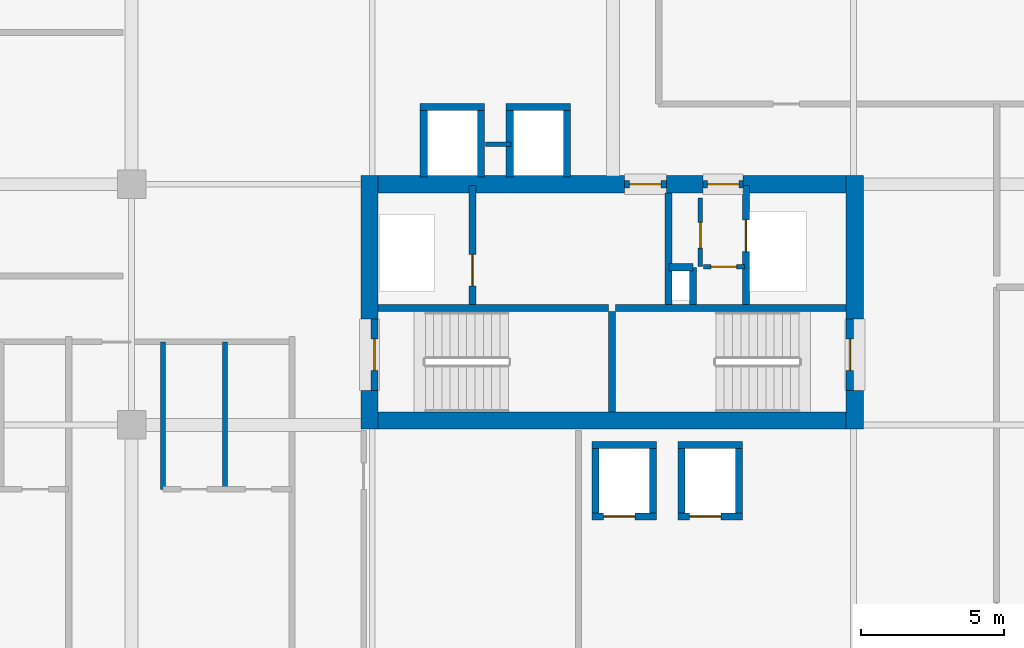
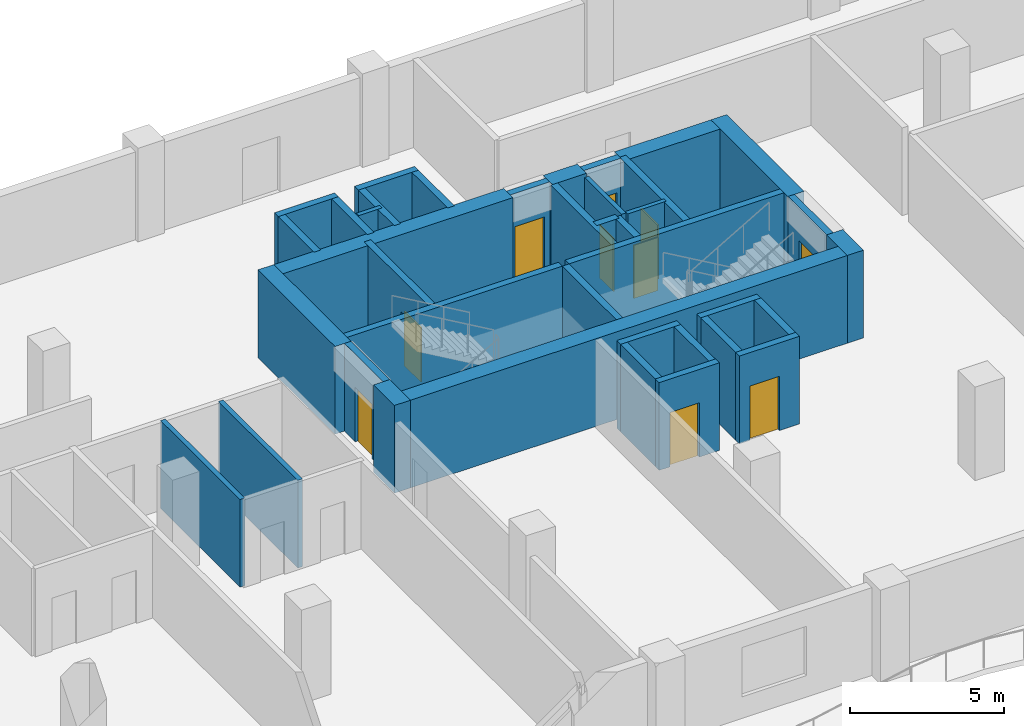
# One storey, part 5 of 14: 39 walls, 10 doors, 10 openings.
"""IFC4 building model written with IfcOpenShell, lengths in metres."""

import ifcopenshell
import ifcopenshell.guid

model = None  # the IFC model being written
_history = None  # IfcOwnerHistory: only IFC2X3 demands one
_inside = {}  # id of a spatial element -> (the spatial element, [elements in it])
_under = {}  # id of a project, library or spatial element -> (it, [spatial elements below it])
_declared = {}  # id of a project -> (the project, [libraries it declares])
_typed = {}  # id of a type object -> (the type object, [elements of that type])
_made_of = {}  # id of a material, layer set ... -> (it, [elements and type objects made of it])


def new_model(schema):
    """Start an empty IFC model of exactly this schema.

    Asked for "IFC4X3", IfcOpenShell would pick the latest addendum, in which some entities
    have other attributes; the version numbers below select the first issue.
    IFC2X3 requires an IfcOwnerHistory on every rooted entity: one is made here for all.
    """
    global model, _history
    if schema == "IFC4X3":
        model = ifcopenshell.file(schema_version=(4, 3, 0, 0))
    else:
        model = ifcopenshell.file(schema=schema)
    _inside.clear()
    _under.clear()
    _declared.clear()
    _typed.clear()
    _made_of.clear()
    _history = None
    if model.schema == "IFC2X3":
        org = make("IfcOrganization", Name="unknown")
        user = make(
            "IfcPersonAndOrganization",
            ThePerson=make("IfcPerson", FamilyName="unknown"),
            TheOrganization=org,
        )
        app = make(
            "IfcApplication",
            ApplicationDeveloper=org,
            Version="unknown",
            ApplicationFullName="unknown",
            ApplicationIdentifier="unknown",
        )
        _history = make(
            "IfcOwnerHistory",
            OwningUser=user,
            OwningApplication=app,
            ChangeAction="ADDED",
            CreationDate=0,
        )
    return model


def make(cls, **values):
    """One entity of the class cls with the attributes given. An attribute that is None is left unset."""
    return model.create_entity(
        cls, **{name: value for name, value in values.items() if value is not None}
    )


def rooted(cls, **values):
    """An entity with a GlobalId (a new one), such as an element, a storey or a relation."""
    return make(cls, GlobalId=ifcopenshell.guid.new(), OwnerHistory=_history, **values)


def si_unit(unit_type, name, prefix=None):
    """IfcSIUnit, for example si_unit("LENGTHUNIT", "METRE", prefix="MILLI")."""
    return make("IfcSIUnit", UnitType=unit_type, Prefix=prefix, Name=name)


def assignment(units):
    """IfcUnitAssignment: the units of a project."""
    return None if units is None else make("IfcUnitAssignment", Units=units)


def point(xyz):
    """IfcCartesianPoint."""
    return None if xyz is None else make("IfcCartesianPoint", Coordinates=xyz)


def direction(xyz):
    """IfcDirection."""
    return None if xyz is None else make("IfcDirection", DirectionRatios=xyz)


def frame(location, z_axis=None, x_axis=None):
    """IfcAxis2Placement3D, a coordinate frame: its origin and axes. An axis left out is left unset."""
    return make(
        "IfcAxis2Placement3D",
        Location=point(location),
        Axis=direction(z_axis),
        RefDirection=direction(x_axis),
    )


def frame_2d(location, x_axis=None):
    """IfcAxis2Placement2D, a coordinate frame in the plane: its origin and x axis."""
    return make(
        "IfcAxis2Placement2D", Location=point(location), RefDirection=direction(x_axis)
    )


def origin():
    """The frame at (0, 0, 0) with its axes left unset."""
    return frame((0.0, 0.0, 0.0))


def place(relative_to, where):
    """IfcLocalPlacement: puts the frame where relative to a parent placement (None: the world)."""
    return make(
        "IfcLocalPlacement", PlacementRelTo=relative_to, RelativePlacement=where
    )


def context(
    kind, dimensions, precision=None, world=None, true_north=None, identifier=None
):
    """IfcGeometricRepresentationContext, for example the 3D "Model" context."""
    return make(
        "IfcGeometricRepresentationContext",
        ContextIdentifier=identifier,
        ContextType=kind,
        CoordinateSpaceDimension=dimensions,
        Precision=precision,
        WorldCoordinateSystem=world,
        TrueNorth=true_north,
    )


def subcontext(parent, identifier, kind, view, scale=None):
    """IfcGeometricRepresentationSubContext, for example "Body" below "Model"."""
    return make(
        "IfcGeometricRepresentationSubContext",
        ContextIdentifier=identifier,
        ContextType=kind,
        ParentContext=parent,
        TargetScale=scale,
        TargetView=view,
    )


def project(units=None, contexts=None):
    """IfcProject with its units and contexts."""
    return rooted(
        "IfcProject",
        Name="project",
        RepresentationContexts=contexts,
        UnitsInContext=assignment(units),
    )


def spatial(cls, under=None, at=None, **own):
    """A site, building, storey or space (cls), placed at a placement, below another one or the project."""
    s = rooted(cls, ObjectPlacement=at, **own)
    if under is not None:
        _under.setdefault(under.id(), (under, []))[1].append(s)
    return s


def profile(cls, at=None, kind="AREA", **sizes):
    """A parametric profile (cls). Its sizes go by their IFC names, for example OverallWidth=200.0."""
    return make(cls, ProfileType=kind, Position=at, **sizes)


def rectangle(**sizes):
    """IfcRectangleProfileDef."""
    return profile("IfcRectangleProfileDef", **sizes)


def extrude(swept, where, along, depth):
    """IfcExtrudedAreaSolid: the profile swept, set in the frame where, extruded along a direction by depth."""
    return make(
        "IfcExtrudedAreaSolid",
        SweptArea=swept,
        Position=where,
        ExtrudedDirection=direction(along),
        Depth=depth,
    )


def shape(context_of_items, identifier, shape_type, items):
    """IfcShapeRepresentation: the items that make up one representation, for example the "Body"."""
    return make(
        "IfcShapeRepresentation",
        ContextOfItems=context_of_items,
        RepresentationIdentifier=identifier,
        RepresentationType=shape_type,
        Items=items,
    )


def material(Name=None, Category=None):
    """IfcMaterial."""
    return make("IfcMaterial", Name=Name, Category=Category)


def layer(
    of_material, thickness, ventilated=None, Name=None, Category=None, Priority=None
):
    """IfcMaterialLayer: one layer of a wall or slab, of a material (None: an air gap)."""
    return make(
        "IfcMaterialLayer",
        Material=of_material,
        LayerThickness=thickness,
        IsVentilated=ventilated,
        Name=Name,
        Category=Category,
        Priority=Priority,
    )


def layer_set(layers, Name=None):
    """IfcMaterialLayerSet."""
    return make("IfcMaterialLayerSet", MaterialLayers=layers, LayerSetName=Name)


def made_of(thing, what):
    """Note that an element or type object is made of a material, layer set ...; save() writes the relation."""
    if what is not None:
        _made_of.setdefault(what.id(), (what, []))[1].append(thing)
    return thing


def type_object(cls, material=None, **own):
    """A type object (cls), such as IfcWallType, which elements share."""
    return made_of(rooted(cls, **own), material)


def element(
    cls,
    number,
    at=None,
    inside=None,
    cuts=None,
    type_object=None,
    material=None,
    context=None,
    identifier="Body",
    shape_type=None,
    held_by="IfcProductDefinitionShape",
    body=None,
    shapes=None,
    **own,
):
    """One element of the class cls, such as IfcWall. Its Tag is "e" and its number.

    at: its placement. inside: the storey or other place that contains it. cuts: it is an
    opening in that element (IfcRelVoidsElement). A single representation is given by context,
    identifier, shape_type and body (its items); several are given by shapes. held_by: the class
    of the entity that holds the representations. save() writes the other relations.
    """
    e = rooted(cls, Tag="e%d" % number, ObjectPlacement=at, **own)
    if body is not None:
        shapes = [shape(context, identifier, shape_type, body)]
    if shapes is not None:
        e.Representation = make(held_by, Representations=shapes)
    if inside is not None:
        _inside.setdefault(inside.id(), (inside, []))[1].append(e)
    if cuts is not None:
        rooted(
            "IfcRelVoidsElement", RelatingBuildingElement=cuts, RelatedOpeningElement=e
        )
    if type_object is not None:
        _typed.setdefault(type_object.id(), (type_object, []))[1].append(e)
    return made_of(e, material)


def fill(opening, filler):
    """IfcRelFillsElement: the door or window that sits in an opening."""
    return rooted(
        "IfcRelFillsElement",
        RelatingOpeningElement=opening,
        RelatedBuildingElement=filler,
    )


def aggregate(whole, parts):
    """IfcRelAggregates: a whole, such as a stair, and the parts it consists of."""
    return rooted("IfcRelAggregates", RelatingObject=whole, RelatedObjects=parts)


def save(model, path):
    """Write the relations noted so far, then the file.

    IfcRelAggregates (storeys below a building ...), IfcRelContainedInSpatialStructure (elements
    in a storey), IfcRelDefinesByType, IfcRelAssociatesMaterial and IfcRelDeclares: one each for
    every whole, place, type object, material and project.
    """
    for whole, parts in _under.values():
        aggregate(whole, parts)
    for where, things in _inside.values():
        rooted(
            "IfcRelContainedInSpatialStructure",
            RelatedElements=things,
            RelatingStructure=where,
        )
    for kind, things in _typed.values():
        rooted("IfcRelDefinesByType", RelatedObjects=things, RelatingType=kind)
    for what, things in _made_of.values():
        rooted("IfcRelAssociatesMaterial", RelatedObjects=things, RelatingMaterial=what)
    for by, libraries in _declared.values():
        rooted("IfcRelDeclares", RelatingContext=by, RelatedDefinitions=libraries)
    model.write(path)


model = new_model("IFC4")

# Units and contexts
model_context = context("Model", 3, precision=1e-05, world=origin(), true_north=direction((0.0, 1.0)))
body_context = subcontext(model_context, "Body", "Model", "MODEL_VIEW")
ifc_project = project(units=[si_unit("LENGTHUNIT", "METRE"), si_unit("AREAUNIT", "SQUARE_METRE"), si_unit("VOLUMEUNIT", "CUBIC_METRE"), si_unit("PLANEANGLEUNIT", "RADIAN"), si_unit("MASSUNIT", "GRAM", prefix="KILO")], contexts=[model_context])

# Site, building, storey
site_placement = place(None, origin())
site = spatial("IfcSite", under=ifc_project, at=site_placement, CompositionType="ELEMENT")
building_placement = place(site_placement, origin())
building = spatial("IfcBuilding", under=site, at=building_placement, Name="Koriwani Terraces Tower", CompositionType="ELEMENT")
storey_placement = place(building_placement, frame((0.0, 0.0, 201.300048828125)))
storey = spatial("IfcBuildingStorey", under=building, at=storey_placement, Name="L49", CompositionType="ELEMENT", Elevation=201.300048828125)

# Walls
ifc_material_1 = material(Name="Concrete C60/75", Category="concrete")
ifc_layer_1 = layer(ifc_material_1, 0.60009765625, Name="Concrete C60/75")
ifc_layer_set_1 = layer_set([ifc_layer_1], Name="Concrete C60/75")
wall_type_1 = type_object("IfcWallType", Name="WALL_CORE_RC_600", PredefinedType="SHEAR", material=ifc_layer_set_1)
wall_1_placement = place(storey_placement, frame((41.89990234375, 16.64990234375, 0.0), z_axis=(0.0, 0.0, 1.0), x_axis=(0.0, 1.0, 0.0)))
element("IfcWall", 1, at=wall_1_placement, inside=storey, type_object=wall_type_1, Name="L49 East Split Core Shear Wall W1", PredefinedType="SHEAR", context=body_context, shape_type="SweptSolid", body=[
    extrude(rectangle(XDim=1.35009765625, YDim=0.60009765625, at=frame_2d((0.675048828125, 0.0))), origin(), (0.0, 0.0, 1.0), 3.469970703125),
])
wall_2_placement = place(storey_placement, frame((41.89990234375, 20.5, 0.0), z_axis=(0.0, 0.0, 1.0), x_axis=(0.0, 1.0, 0.0)))
element("IfcWall", 2, at=wall_2_placement, inside=storey, type_object=wall_type_1, Name="L49 East Split Core Shear Wall W2", PredefinedType="SHEAR", context=body_context, shape_type="SweptSolid", body=[
    extrude(rectangle(XDim=5.0, YDim=0.60009765625, at=frame_2d((2.5, 0.0))), origin(), (0.0, 0.0, 1.0), 3.469970703125),
])
wall_3_placement = place(storey_placement, frame((58.85009765625, 16.64990234375, 0.0), z_axis=(0.0, 0.0, 1.0), x_axis=(0.0, 1.0, 0.0)))
element("IfcWall", 3, at=wall_3_placement, inside=storey, type_object=wall_type_1, Name="L49 East Split Core Shear Wall E1", PredefinedType="SHEAR", context=body_context, shape_type="SweptSolid", body=[
    extrude(rectangle(XDim=1.35009765625, YDim=0.60009765625, at=frame_2d((0.675048828125, 0.0))), origin(), (0.0, 0.0, 1.0), 3.469970703125),
])
wall_4_placement = place(storey_placement, frame((58.85009765625, 20.5, 0.0), z_axis=(0.0, 0.0, 1.0), x_axis=(0.0, 1.0, 0.0)))
element("IfcWall", 4, at=wall_4_placement, inside=storey, type_object=wall_type_1, Name="L49 East Split Core Shear Wall E2", PredefinedType="SHEAR", context=body_context, shape_type="SweptSolid", body=[
    extrude(rectangle(XDim=5.0, YDim=0.60009765625, at=frame_2d((2.5, 0.0))), origin(), (0.0, 0.0, 1.0), 3.469970703125),
])
wall_5_placement = place(storey_placement, frame((42.199951171875, 16.949951171875, 0.0), z_axis=(0.0, 0.0, 1.0), x_axis=(1.0, 0.0, 0.0)))
element("IfcWall", 5, at=wall_5_placement, inside=storey, type_object=wall_type_1, Name="L49 East Split Core Shear Wall S1", PredefinedType="SHEAR", context=body_context, shape_type="SweptSolid", body=[
    extrude(rectangle(XDim=16.35009765625, YDim=0.60009765625, at=frame_2d((8.175048828125, 0.0))), origin(), (0.0, 0.0, 1.0), 3.469970703125),
])
wall_6_placement = place(storey_placement, frame((42.199951171875, 25.199951171875, 0.0), z_axis=(0.0, 0.0, 1.0), x_axis=(1.0, 0.0, 0.0)))
element("IfcWall", 6, at=wall_6_placement, inside=storey, type_object=wall_type_1, Name="L49 East Split Core Shear Wall N1", PredefinedType="SHEAR", context=body_context, shape_type="SweptSolid", body=[
    extrude(rectangle(XDim=8.60009765625, YDim=0.60009765625, at=frame_2d((4.300048828125, 0.0))), origin(), (0.0, 0.0, 1.0), 3.469970703125),
])
wall_7_placement = place(storey_placement, frame((52.280029296875, 25.199951171875, 0.0), z_axis=(0.0, 0.0, 1.0), x_axis=(1.0, 0.0, 0.0)))
element("IfcWall", 7, at=wall_7_placement, inside=storey, type_object=wall_type_1, Name="L49 East Split Core Shear Wall N2", PredefinedType="SHEAR", context=body_context, shape_type="SweptSolid", body=[
    extrude(rectangle(XDim=1.27001953125, YDim=0.60009765625, at=frame_2d((0.635009765625, 0.0))), origin(), (0.0, 0.0, 1.0), 3.469970703125),
])
wall_8_placement = place(storey_placement, frame((54.949951171875, 25.199951171875, 0.0), z_axis=(0.0, 0.0, 1.0), x_axis=(1.0, 0.0, 0.0)))
element("IfcWall", 8, at=wall_8_placement, inside=storey, type_object=wall_type_1, Name="L49 East Split Core Shear Wall N3", PredefinedType="SHEAR", context=body_context, shape_type="SweptSolid", body=[
    extrude(rectangle(XDim=3.60009765625, YDim=0.60009765625, at=frame_2d((1.800048828125, 0.0))), origin(), (0.0, 0.0, 1.0), 3.469970703125),
])
ifc_material_2 = material(Name="Fire-Rated Acoustic Gypsum Partition", Category="masonry")
ifc_layer_2 = layer(ifc_material_2, 0.179931640625, Name="Fire-Rated Acoustic Gypsum Partition")
ifc_layer_set_2 = layer_set([ifc_layer_2], Name="Fire-Rated Acoustic Gypsum Partition")
wall_type_2 = type_object("IfcWallType", Name="WALL_PLUMBING_180", PredefinedType="PLUMBINGWALL", material=ifc_layer_set_2)
for number, where, z_axis, x_axis, name in (
    (9, (34.699951171875, 14.550048828125, 0.0), (0.0, 0.0, 1.0), (0.0, 1.0, 0.0), "L49 Interior Wall WRSVCS-L49-SW-3"),
    (10, (36.860107421875, 14.550048828125, 0.0), (0.0, 0.0, 1.0), (0.0, 1.0, 0.0), "L49 Interior Wall WRSVCM-L49-SW-3"),
):
    element("IfcWall", number, at=place(storey_placement, frame(where, z_axis=z_axis, x_axis=x_axis)), inside=storey, type_object=wall_type_2, Name=name, PredefinedType="PLUMBINGWALL", context=body_context, shape_type="SweptSolid", body=[
        extrude(rectangle(XDim=5.14990234375, YDim=0.179931640625, at=frame_2d((2.574951171875, 0.0))), origin(), (0.0, 0.0, 1.0), 3.469970703125),
    ])
ifc_material_3 = material(Name="Concrete C40/50", Category="concrete")
ifc_layer_3 = layer(ifc_material_3, 0.25, Name="Concrete C40/50")
ifc_layer_set_3 = layer_set([ifc_layer_3], Name="Concrete C40/50")
wall_type_3 = type_object("IfcWallType", Name="WALL_SHAFT_RATED_250", PredefinedType="SOLIDWALL", material=ifc_layer_set_3)
for number, where, z_axis, x_axis, name in (
    (11, (42.199951171875, 20.875, 0.0), (0.0, 0.0, 1.0), (1.0, 0.0, 0.0), "L49 East Split Core Web Wall MID1"),
    (12, (50.5, 20.875, 0.0), (0.0, 0.0, 1.0), (1.0, 0.0, 0.0), "L49 East Split Core Web Wall MID2"),
):
    element("IfcWall", number, at=place(storey_placement, frame(where, z_axis=z_axis, x_axis=x_axis)), inside=storey, type_object=wall_type_3, Name=name, PredefinedType="SOLIDWALL", context=body_context, shape_type="SweptSolid", body=[
        extrude(rectangle(XDim=8.050048828125, YDim=0.25, at=frame_2d((4.02490234375, 0.0))), origin(), (0.0, 0.0, 1.0), 3.469970703125),
    ])
wall_9_placement = place(storey_placement, frame((50.375, 17.25, 0.0), z_axis=(0.0, 0.0, 1.0), x_axis=(0.0, 1.0, 0.0)))
element("IfcWall", 13, at=wall_9_placement, inside=storey, type_object=wall_type_3, Name="L49 East Split Core Stair Dividing Wall", PredefinedType="SOLIDWALL", context=body_context, shape_type="SweptSolid", body=[
    extrude(rectangle(XDim=3.5, YDim=0.25, at=frame_2d((1.75, 0.0))), origin(), (0.0, 0.0, 1.0), 3.469970703125),
])

# Wall, opening, door
wall_10_placement = place(storey_placement, frame((42.074951171875, 18.0, 0.0), z_axis=(0.0, 0.0, 1.0), x_axis=(0.0, 1.0, 0.0)))
wall_10 = element("IfcWall", 14, at=wall_10_placement, inside=storey, type_object=wall_type_3, Name="L49 Interior Wall WIN-CE-L49-STW", PredefinedType="SOLIDWALL", context=body_context, shape_type="SweptSolid", body=[
    extrude(rectangle(XDim=2.5, YDim=0.25, at=frame_2d((1.25, 0.0))), origin(), (0.0, 0.0, 1.0), 3.469970703125),
])
opening_1_placement = place(wall_10_placement, frame((0.699951171875, 0.0, 0.0)))
opening_1 = element("IfcOpeningElement", 15, at=opening_1_placement, cuts=wall_10, Name="Opening D-03", PredefinedType="OPENING", context=body_context, shape_type="SweptSolid", body=[
    extrude(rectangle(XDim=1.10009765625, YDim=2.14990234375, at=frame_2d((0.550048828125, 1.074951171875))), frame((0.0, 0.135009765625, 0.0), z_axis=(0.0, -1.0, 0.0), x_axis=(1.0, 0.0, 0.0)), (0.0, 0.0, 1.0), 0.27001953125),
])
ifc_material_4 = material(Name="Steel ASTM A572 Grade 50", Category="steel")
door_type_1 = type_object("IfcDoorType", Name="DOOR_STAIR_FIRE_1100X2150", OperationType="NOTDEFINED", PredefinedType="DOOR", material=ifc_material_4)
door_1_placement = place(opening_1_placement, origin())
door_1 = element("IfcDoor", 16, at=door_1_placement, inside=storey, type_object=door_type_1, Name="L49 Exit Stair ST-E1 Door", OperationType="SINGLE_SWING_LEFT", OverallHeight=2.14990234375, OverallWidth=1.10009765625, PredefinedType="DOOR", context=body_context, shape_type="SweptSolid", body=[
    extrude(rectangle(XDim=1.10009765625, YDim=2.14990234375, at=frame_2d((0.550048828125, 1.074951171875))), frame((0.0, 0.02490234375, 0.0), z_axis=(0.0, -1.0, 0.0), x_axis=(1.0, 0.0, 0.0)), (0.0, 0.0, 1.0), 0.050048828125),
])
fill(opening_1, door_1)

wall_11_placement = place(storey_placement, frame((58.675048828125, 18.0, 0.0), z_axis=(0.0, 0.0, 1.0), x_axis=(0.0, 1.0, 0.0)))
wall_11 = element("IfcWall", 17, at=wall_11_placement, inside=storey, type_object=wall_type_3, Name="L49 Interior Wall WIN-CE-L49-STE", PredefinedType="SOLIDWALL", context=body_context, shape_type="SweptSolid", body=[
    extrude(rectangle(XDim=2.5, YDim=0.25, at=frame_2d((1.25, 0.0))), origin(), (0.0, 0.0, 1.0), 3.469970703125),
])
opening_2_placement = place(wall_11_placement, frame((0.699951171875, 0.0, 0.0)))
opening_2 = element("IfcOpeningElement", 18, at=opening_2_placement, cuts=wall_11, Name="Opening D-03", PredefinedType="OPENING", context=body_context, shape_type="SweptSolid", body=[
    extrude(rectangle(XDim=1.10009765625, YDim=2.14990234375, at=frame_2d((0.550048828125, 1.074951171875))), frame((0.0, 0.135009765625, 0.0), z_axis=(0.0, -1.0, 0.0), x_axis=(1.0, 0.0, 0.0)), (0.0, 0.0, 1.0), 0.27001953125),
])
door_2_placement = place(opening_2_placement, origin())
door_2 = element("IfcDoor", 19, at=door_2_placement, inside=storey, type_object=door_type_1, Name="L49 Exit Stair ST-E2 Door", OperationType="SINGLE_SWING_RIGHT", OverallHeight=2.14990234375, OverallWidth=1.10009765625, PredefinedType="DOOR", context=body_context, shape_type="SweptSolid", body=[
    extrude(rectangle(XDim=1.10009765625, YDim=2.14990234375, at=frame_2d((0.550048828125, 1.074951171875))), frame((0.0, 0.02490234375, 0.0), z_axis=(0.0, -1.0, 0.0), x_axis=(1.0, 0.0, 0.0)), (0.0, 0.0, 1.0), 0.050048828125),
])
fill(opening_2, door_2)

wall_12_placement = place(storey_placement, frame((45.5, 21.0, 0.0), z_axis=(0.0, 0.0, 1.0), x_axis=(0.0, 1.0, 0.0)))
wall_12 = element("IfcWall", 20, at=wall_12_placement, inside=storey, type_object=wall_type_3, Name="L49 Interior Wall WIN-CE-L49-FE", PredefinedType="SOLIDWALL", context=body_context, shape_type="SweptSolid", body=[
    extrude(rectangle(XDim=4.14990234375, YDim=0.25, at=frame_2d((2.074951171875, 0.0))), origin(), (0.0, 0.0, 1.0), 3.469970703125),
])
opening_3_placement = place(wall_12_placement, frame((0.64990234375, 0.0, 0.0)))
opening_3 = element("IfcOpeningElement", 21, at=opening_3_placement, cuts=wall_12, Name="Opening LD-01", PredefinedType="OPENING", context=body_context, shape_type="SweptSolid", body=[
    extrude(rectangle(XDim=1.10009765625, YDim=2.14990234375, at=frame_2d((0.550048828125, 1.074951171875))), frame((0.0, 0.135009765625, 0.0), z_axis=(0.0, -1.0, 0.0), x_axis=(1.0, 0.0, 0.0)), (0.0, 0.0, 1.0), 0.27001953125),
])
door_type_2 = type_object("IfcDoorType", Name="DOOR_LIFT_LANDING_1100X2200", OperationType="NOTDEFINED", PredefinedType="DOOR", material=ifc_material_4)
door_3_placement = place(opening_3_placement, origin())
door_3 = element("IfcDoor", 22, at=door_3_placement, inside=storey, type_object=door_type_2, Name="L49 Firefighting Lift FE-02 Landing Door", OperationType="SLIDING_TO_LEFT", OverallHeight=2.14990234375, OverallWidth=1.10009765625, PredefinedType="DOOR", context=body_context, shape_type="SweptSolid", body=[
    extrude(rectangle(XDim=1.10009765625, YDim=2.14990234375, at=frame_2d((0.550048828125, 1.074951171875))), frame((0.0, 0.02490234375, 0.0), z_axis=(0.0, -1.0, 0.0), x_axis=(1.0, 0.0, 0.0)), (0.0, 0.0, 1.0), 0.050048828125),
])
fill(opening_3, door_3)

wall_13_placement = place(storey_placement, frame((50.800048828125, 25.199951171875, 0.0), z_axis=(0.0, 0.0, 1.0), x_axis=(1.0, 0.0, 0.0)))
wall_13 = element("IfcWall", 23, at=wall_13_placement, inside=storey, type_object=wall_type_3, Name="L49 Interior Wall WIN-CE-L49-NP", PredefinedType="SOLIDWALL", context=body_context, shape_type="SweptSolid", body=[
    extrude(rectangle(XDim=1.47998046875, YDim=0.25, at=frame_2d((0.739990234375, 0.0))), origin(), (0.0, 0.0, 1.0), 3.469970703125),
])
opening_4_placement = place(wall_13_placement, frame((0.179931640625, 0.0, 0.0)))
opening_4 = element("IfcOpeningElement", 24, at=opening_4_placement, cuts=wall_13, Name="Opening D-03", PredefinedType="OPENING", context=body_context, shape_type="SweptSolid", body=[
    extrude(rectangle(XDim=1.10009765625, YDim=2.14990234375, at=frame_2d((0.550048828125, 1.074951171875))), frame((0.0, 0.135009765625, 0.0), z_axis=(0.0, -1.0, 0.0), x_axis=(1.0, 0.0, 0.0)), (0.0, 0.0, 1.0), 0.27001953125),
])
door_4_placement = place(opening_4_placement, origin())
door_4 = element("IfcDoor", 25, at=door_4_placement, inside=storey, type_object=door_type_1, Name="L49 East Firefighting Lobby Door", OperationType="SINGLE_SWING_LEFT", OverallHeight=2.14990234375, OverallWidth=1.10009765625, PredefinedType="DOOR", context=body_context, shape_type="SweptSolid", body=[
    extrude(rectangle(XDim=1.10009765625, YDim=2.14990234375, at=frame_2d((0.550048828125, 1.074951171875))), frame((0.0, 0.02490234375, 0.0), z_axis=(0.0, -1.0, 0.0), x_axis=(1.0, 0.0, 0.0)), (0.0, 0.0, 1.0), 0.050048828125),
])
fill(opening_4, door_4)

# Wall
wall_14_placement = place(storey_placement, frame((52.340087890625, 21.0, 0.0), z_axis=(0.0, 0.0, 1.0), x_axis=(0.0, 1.0, 0.0)))
element("IfcWall", 26, at=wall_14_placement, inside=storey, type_object=wall_type_3, Name="L49 Interior Wall WIN-CE-L49-FFE", PredefinedType="SOLIDWALL", context=body_context, shape_type="SweptSolid", body=[
    extrude(rectangle(XDim=3.89990234375, YDim=0.25, at=frame_2d((1.949951171875, 0.0))), origin(), (0.0, 0.0, 1.0), 3.469970703125),
])

# Wall, opening, door
wall_15_placement = place(storey_placement, frame((55.050048828125, 21.0, 0.0), z_axis=(0.0, 0.0, 1.0), x_axis=(0.0, 1.0, 0.0)))
wall_15 = element("IfcWall", 27, at=wall_15_placement, inside=storey, type_object=wall_type_3, Name="L49 Interior Wall WIN-CE-L49-SE", PredefinedType="SOLIDWALL", context=body_context, shape_type="SweptSolid", body=[
    extrude(rectangle(XDim=4.14990234375, YDim=0.25, at=frame_2d((2.074951171875, 0.0))), origin(), (0.0, 0.0, 1.0), 3.469970703125),
])
opening_5_placement = place(wall_15_placement, frame((1.85009765625, 0.0, 0.0)))
opening_5 = element("IfcOpeningElement", 28, at=opening_5_placement, cuts=wall_15, Name="Opening LD-01", PredefinedType="OPENING", context=body_context, shape_type="SweptSolid", body=[
    extrude(rectangle(XDim=1.10009765625, YDim=2.14990234375, at=frame_2d((0.550048828125, 1.074951171875))), frame((0.0, 0.135009765625, 0.0), z_axis=(0.0, -1.0, 0.0), x_axis=(1.0, 0.0, 0.0)), (0.0, 0.0, 1.0), 0.27001953125),
])
door_5_placement = place(opening_5_placement, origin())
door_5 = element("IfcDoor", 29, at=door_5_placement, inside=storey, type_object=door_type_2, Name="L49 Goods Lift SE-02 Landing Door", OperationType="SLIDING_TO_LEFT", OverallHeight=2.14990234375, OverallWidth=1.10009765625, PredefinedType="DOOR", context=body_context, shape_type="SweptSolid", body=[
    extrude(rectangle(XDim=1.10009765625, YDim=2.14990234375, at=frame_2d((0.550048828125, 1.074951171875))), frame((0.0, 0.02490234375, 0.0), z_axis=(0.0, -1.0, 0.0), x_axis=(1.0, 0.0, 0.0)), (0.0, 0.0, 1.0), 0.050048828125),
])
fill(opening_5, door_5)

wall_16_placement = place(storey_placement, frame((53.550048828125, 25.199951171875, 0.0), z_axis=(0.0, 0.0, 1.0), x_axis=(1.0, 0.0, 0.0)))
wall_16 = element("IfcWall", 30, at=wall_16_placement, inside=storey, type_object=wall_type_3, Name="L49 Interior Wall WIN-CE-L49-NP2", PredefinedType="SOLIDWALL", context=body_context, shape_type="SweptSolid", body=[
    extrude(rectangle(XDim=1.39990234375, YDim=0.25, at=frame_2d((0.699951171875, 0.0))), origin(), (0.0, 0.0, 1.0), 3.469970703125),
])
opening_6_placement = place(wall_16_placement, frame((0.14990234375, 0.0, 0.0)))
opening_6 = element("IfcOpeningElement", 31, at=opening_6_placement, cuts=wall_16, Name="Opening D-03", PredefinedType="OPENING", context=body_context, shape_type="SweptSolid", body=[
    extrude(rectangle(XDim=1.10009765625, YDim=2.14990234375, at=frame_2d((0.550048828125, 1.074951171875))), frame((0.0, 0.135009765625, 0.0), z_axis=(0.0, -1.0, 0.0), x_axis=(1.0, 0.0, 0.0)), (0.0, 0.0, 1.0), 0.27001953125),
])
door_6_placement = place(opening_6_placement, origin())
door_6 = element("IfcDoor", 32, at=door_6_placement, inside=storey, type_object=door_type_1, Name="L49 East Goods Lift Lobby Door", OperationType="SINGLE_SWING_RIGHT", OverallHeight=2.14990234375, OverallWidth=1.10009765625, PredefinedType="DOOR", context=body_context, shape_type="SweptSolid", body=[
    extrude(rectangle(XDim=1.10009765625, YDim=2.14990234375, at=frame_2d((0.550048828125, 1.074951171875))), frame((0.0, 0.02490234375, 0.0), z_axis=(0.0, -1.0, 0.0), x_axis=(1.0, 0.0, 0.0)), (0.0, 0.0, 1.0), 0.050048828125),
])
fill(opening_6, door_6)

# Walls
wall_17_placement = place(storey_placement, frame((53.199951171875, 21.0, 0.0), z_axis=(0.0, 0.0, 1.0), x_axis=(0.0, 1.0, 0.0)))
element("IfcWall", 33, at=wall_17_placement, inside=storey, type_object=wall_type_3, Name="L49 Interior Wall WIN-CE-L49-RS1", PredefinedType="SOLIDWALL", context=body_context, shape_type="SweptSolid", body=[
    extrude(rectangle(XDim=1.300048828125, YDim=0.25, at=frame_2d((0.64990234375, 0.0))), origin(), (0.0, 0.0, 1.0), 3.469970703125),
])
wall_18_placement = place(storey_placement, frame((52.360107421875, 22.300048828125, 0.0), z_axis=(0.0, 0.0, 1.0), x_axis=(1.0, 0.0, 0.0)))
element("IfcWall", 34, at=wall_18_placement, inside=storey, type_object=wall_type_3, Name="L49 Interior Wall WIN-CE-L49-RS2", PredefinedType="SOLIDWALL", context=body_context, shape_type="SweptSolid", body=[
    extrude(rectangle(XDim=0.83984375, YDim=0.25, at=frame_2d((0.419921875, 0.0))), origin(), (0.0, 0.0, 1.0), 3.469970703125),
])

# Wall, opening, door
wall_19_placement = place(storey_placement, frame((49.675048828125, 13.60009765625, 0.0), z_axis=(0.0, 0.0, 1.0), x_axis=(1.0, 0.0, 0.0)))
wall_19 = element("IfcWall", 35, at=wall_19_placement, inside=storey, type_object=wall_type_3, Name="L49 Interior Wall WIN-LF-PE-M3-L49-F", PredefinedType="SOLIDWALL", context=body_context, shape_type="SweptSolid", body=[
    extrude(rectangle(XDim=2.25, YDim=0.25, at=frame_2d((1.125, 0.0))), origin(), (0.0, 0.0, 1.0), 3.469970703125),
])
opening_7_placement = place(wall_19_placement, frame((0.39990234375, 0.0, 0.0)))
opening_7 = element("IfcOpeningElement", 36, at=opening_7_placement, cuts=wall_19, Name="Opening LD-01", PredefinedType="OPENING", context=body_context, shape_type="SweptSolid", body=[
    extrude(rectangle(XDim=1.10009765625, YDim=2.14990234375, at=frame_2d((0.550048828125, 1.074951171875))), frame((0.0, 0.135009765625, 0.0), z_axis=(0.0, -1.0, 0.0), x_axis=(1.0, 0.0, 0.0)), (0.0, 0.0, 1.0), 0.27001953125),
])
door_7_placement = place(opening_7_placement, origin())
door_7 = element("IfcDoor", 37, at=door_7_placement, inside=storey, type_object=door_type_2, Name="L49 Passenger Lift PE-M3 Landing Door", OperationType="SLIDING_TO_LEFT", OverallHeight=2.14990234375, OverallWidth=1.10009765625, PredefinedType="DOOR", context=body_context, shape_type="SweptSolid", body=[
    extrude(rectangle(XDim=1.10009765625, YDim=2.14990234375, at=frame_2d((0.550048828125, 1.074951171875))), frame((0.0, 0.02490234375, 0.0), z_axis=(0.0, -1.0, 0.0), x_axis=(1.0, 0.0, 0.0)), (0.0, 0.0, 1.0), 0.050048828125),
])
fill(opening_7, door_7)

# Walls
for number, where, z_axis, x_axis, name in (
    (38, (49.675048828125, 16.10009765625, 0.0), (0.0, 0.0, 1.0), (1.0, 0.0, 0.0), "L49 Interior Wall WIN-LF-PE-M3-L49-B"),
    (39, (49.800048828125, 13.72509765625, 0.0), (0.0, 0.0, 1.0), (0.0, 1.0, 0.0), "L49 Interior Wall WIN-LF-PE-M3-L49-W"),
    (40, (51.800048828125, 13.72509765625, 0.0), (0.0, 0.0, 1.0), (0.0, 1.0, 0.0), "L49 Interior Wall WIN-LF-PE-M3-L49-E"),
):
    element("IfcWall", number, at=place(storey_placement, frame(where, z_axis=z_axis, x_axis=x_axis)), inside=storey, type_object=wall_type_3, Name=name, PredefinedType="SOLIDWALL", context=body_context, shape_type="SweptSolid", body=[
        extrude(rectangle(XDim=2.25, YDim=0.25, at=frame_2d((1.125, 0.0))), origin(), (0.0, 0.0, 1.0), 3.469970703125),
    ])

# Wall, opening, door
wall_20_placement = place(storey_placement, frame((52.675048828125, 13.60009765625, 0.0), z_axis=(0.0, 0.0, 1.0), x_axis=(1.0, 0.0, 0.0)))
wall_20 = element("IfcWall", 41, at=wall_20_placement, inside=storey, type_object=wall_type_3, Name="L49 Interior Wall WIN-LF-PE-M4-L49-F", PredefinedType="SOLIDWALL", context=body_context, shape_type="SweptSolid", body=[
    extrude(rectangle(XDim=2.25, YDim=0.25, at=frame_2d((1.125, 0.0))), origin(), (0.0, 0.0, 1.0), 3.469970703125),
])
opening_8_placement = place(wall_20_placement, frame((0.39990234375, 0.0, 0.0)))
opening_8 = element("IfcOpeningElement", 42, at=opening_8_placement, cuts=wall_20, Name="Opening LD-01", PredefinedType="OPENING", context=body_context, shape_type="SweptSolid", body=[
    extrude(rectangle(XDim=1.10009765625, YDim=2.14990234375, at=frame_2d((0.550048828125, 1.074951171875))), frame((0.0, 0.135009765625, 0.0), z_axis=(0.0, -1.0, 0.0), x_axis=(1.0, 0.0, 0.0)), (0.0, 0.0, 1.0), 0.27001953125),
])
door_8_placement = place(opening_8_placement, origin())
door_8 = element("IfcDoor", 43, at=door_8_placement, inside=storey, type_object=door_type_2, Name="L49 Passenger Lift PE-M4 Landing Door", OperationType="SLIDING_TO_LEFT", OverallHeight=2.14990234375, OverallWidth=1.10009765625, PredefinedType="DOOR", context=body_context, shape_type="SweptSolid", body=[
    extrude(rectangle(XDim=1.10009765625, YDim=2.14990234375, at=frame_2d((0.550048828125, 1.074951171875))), frame((0.0, 0.02490234375, 0.0), z_axis=(0.0, -1.0, 0.0), x_axis=(1.0, 0.0, 0.0)), (0.0, 0.0, 1.0), 0.050048828125),
])
fill(opening_8, door_8)

# Walls
for number, where, z_axis, x_axis, name in (
    (44, (52.675048828125, 16.10009765625, 0.0), (0.0, 0.0, 1.0), (1.0, 0.0, 0.0), "L49 Interior Wall WIN-LF-PE-M4-L49-B"),
    (45, (52.800048828125, 13.72509765625, 0.0), (0.0, 0.0, 1.0), (0.0, 1.0, 0.0), "L49 Interior Wall WIN-LF-PE-M4-L49-W"),
    (46, (54.800048828125, 13.72509765625, 0.0), (0.0, 0.0, 1.0), (0.0, 1.0, 0.0), "L49 Interior Wall WIN-LF-PE-M4-L49-E"),
    (47, (43.675048828125, 27.89990234375, 0.0), (0.0, 0.0, 1.0), (1.0, 0.0, 0.0), "L49 Interior Wall WIN-LF-PE-H3-L49-F"),
):
    element("IfcWall", number, at=place(storey_placement, frame(where, z_axis=z_axis, x_axis=x_axis)), inside=storey, type_object=wall_type_3, Name=name, PredefinedType="SOLIDWALL", context=body_context, shape_type="SweptSolid", body=[
        extrude(rectangle(XDim=2.25, YDim=0.25, at=frame_2d((1.125, 0.0))), origin(), (0.0, 0.0, 1.0), 3.469970703125),
    ])
for number, where, z_axis, x_axis, name in (
    (48, (43.800048828125, 25.449951171875, 0.0), (0.0, 0.0, 1.0), (0.0, 1.0, 0.0), "L49 Interior Wall WIN-LF-PE-H3-L49-W"),
    (49, (45.800048828125, 25.449951171875, 0.0), (0.0, 0.0, 1.0), (0.0, 1.0, 0.0), "L49 Interior Wall WIN-LF-PE-H3-L49-E"),
):
    element("IfcWall", number, at=place(storey_placement, frame(where, z_axis=z_axis, x_axis=x_axis)), inside=storey, type_object=wall_type_3, Name=name, PredefinedType="SOLIDWALL", context=body_context, shape_type="SweptSolid", body=[
        extrude(rectangle(XDim=2.324951171875, YDim=0.25, at=frame_2d((1.16259765625, 0.0))), origin(), (0.0, 0.0, 1.0), 3.469970703125),
    ])
wall_21_placement = place(storey_placement, frame((46.675048828125, 27.89990234375, 0.0), z_axis=(0.0, 0.0, 1.0), x_axis=(1.0, 0.0, 0.0)))
element("IfcWall", 50, at=wall_21_placement, inside=storey, type_object=wall_type_3, Name="L49 Interior Wall WIN-LF-PE-H4-L49-F", PredefinedType="SOLIDWALL", context=body_context, shape_type="SweptSolid", body=[
    extrude(rectangle(XDim=2.25, YDim=0.25, at=frame_2d((1.125, 0.0))), origin(), (0.0, 0.0, 1.0), 3.469970703125),
])
for number, where, z_axis, x_axis, name in (
    (51, (46.800048828125, 25.449951171875, 0.0), (0.0, 0.0, 1.0), (0.0, 1.0, 0.0), "L49 Interior Wall WIN-LF-PE-H4-L49-W"),
    (52, (48.800048828125, 25.449951171875, 0.0), (0.0, 0.0, 1.0), (0.0, 1.0, 0.0), "L49 Interior Wall WIN-LF-PE-H4-L49-E"),
):
    element("IfcWall", number, at=place(storey_placement, frame(where, z_axis=z_axis, x_axis=x_axis)), inside=storey, type_object=wall_type_3, Name=name, PredefinedType="SOLIDWALL", context=body_context, shape_type="SweptSolid", body=[
        extrude(rectangle(XDim=2.324951171875, YDim=0.25, at=frame_2d((1.16259765625, 0.0))), origin(), (0.0, 0.0, 1.0), 3.469970703125),
    ])

# Wall, opening, door
ifc_layer_4 = layer(ifc_material_2, 0.159912109375, Name="Fire-Rated Acoustic Gypsum Partition")
ifc_layer_set_4 = layer_set([ifc_layer_4], Name="Fire-Rated Acoustic Gypsum Partition")
wall_type_4 = type_object("IfcWallType", Name="WALL_SUITE_160", PredefinedType="PARTITIONING", material=ifc_layer_set_4)
wall_22_placement = place(storey_placement, frame((53.56005859375, 22.320068359375, 0.0), z_axis=(0.0, 0.0, 1.0), x_axis=(1.0, 0.0, 0.0)))
wall_22 = element("IfcWall", 53, at=wall_22_placement, inside=storey, type_object=wall_type_4, Name="L49 Interior Wall WIN-CE-L49-SV1A", PredefinedType="PARTITIONING", context=body_context, shape_type="SweptSolid", body=[
    extrude(rectangle(XDim=1.43994140625, YDim=0.159912109375, at=frame_2d((0.719970703125, 0.0))), origin(), (0.0, 0.0, 1.0), 3.469970703125),
])
opening_9_placement = place(wall_22_placement, frame((0.260009765625, 0.0, 0.0)))
opening_9 = element("IfcOpeningElement", 54, at=opening_9_placement, cuts=wall_22, Name="Opening D-07", PredefinedType="OPENING", context=body_context, shape_type="SweptSolid", body=[
    extrude(rectangle(XDim=0.89990234375, YDim=2.10009765625, at=frame_2d((0.449951171875, 1.050048828125))), frame((0.0, 0.08984375, 0.0), z_axis=(0.0, -1.0, 0.0), x_axis=(1.0, 0.0, 0.0)), (0.0, 0.0, 1.0), 0.179931640625),
])
ifc_material_5 = material(Name="Architectural Oak Fire Door", Category="wood")
door_type_3 = type_object("IfcDoorType", Name="DOOR_BATH_INT_900X2100", OperationType="NOTDEFINED", PredefinedType="DOOR", material=ifc_material_5)
door_9_placement = place(opening_9_placement, origin())
door_9 = element("IfcDoor", 55, at=door_9_placement, inside=storey, type_object=door_type_3, Name="L49 East Telecom Room Door", OperationType="SINGLE_SWING_LEFT", OverallHeight=2.10009765625, OverallWidth=0.89990234375, PredefinedType="DOOR", context=body_context, shape_type="SweptSolid", body=[
    extrude(rectangle(XDim=0.89990234375, YDim=2.10009765625, at=frame_2d((0.449951171875, 1.050048828125))), frame((0.0, 0.02490234375, 0.0), z_axis=(0.0, -1.0, 0.0), x_axis=(1.0, 0.0, 0.0)), (0.0, 0.0, 1.0), 0.050048828125),
])
fill(opening_9, door_9)

wall_23_placement = place(storey_placement, frame((53.4599609375, 22.320068359375, 0.0), z_axis=(0.0, 0.0, 1.0), x_axis=(0.0, 1.0, 0.0)))
wall_23 = element("IfcWall", 56, at=wall_23_placement, inside=storey, type_object=wall_type_4, Name="L49 Interior Wall WIN-CE-L49-SV1B", PredefinedType="PARTITIONING", context=body_context, shape_type="SweptSolid", body=[
    extrude(rectangle(XDim=2.39990234375, YDim=0.159912109375, at=frame_2d((1.199951171875, 0.0))), origin(), (0.0, 0.0, 1.0), 3.469970703125),
])
opening_10_placement = place(wall_23_placement, frame((0.64990234375, 0.0, 0.0)))
opening_10 = element("IfcOpeningElement", 57, at=opening_10_placement, cuts=wall_23, Name="Opening D-07", PredefinedType="OPENING", context=body_context, shape_type="SweptSolid", body=[
    extrude(rectangle(XDim=0.89990234375, YDim=2.10009765625, at=frame_2d((0.449951171875, 1.050048828125))), frame((0.0, 0.08984375, 0.0), z_axis=(0.0, -1.0, 0.0), x_axis=(1.0, 0.0, 0.0)), (0.0, 0.0, 1.0), 0.179931640625),
])
door_10_placement = place(opening_10_placement, origin())
door_10 = element("IfcDoor", 58, at=door_10_placement, inside=storey, type_object=door_type_3, Name="L49 East Cleaners Closet Door", OperationType="SINGLE_SWING_RIGHT", OverallHeight=2.10009765625, OverallWidth=0.89990234375, PredefinedType="DOOR", context=body_context, shape_type="SweptSolid", body=[
    extrude(rectangle(XDim=0.89990234375, YDim=2.10009765625, at=frame_2d((0.449951171875, 1.050048828125))), frame((0.0, 0.02490234375, 0.0), z_axis=(0.0, -1.0, 0.0), x_axis=(1.0, 0.0, 0.0)), (0.0, 0.0, 1.0), 0.050048828125),
])
fill(opening_10, door_10)

# Wall
wall_24_placement = place(storey_placement, frame((45.9599609375, 26.60009765625, 0.0), z_axis=(0.0, 0.0, 1.0), x_axis=(1.0, 0.0, 0.0)))
element("IfcWall", 59, at=wall_24_placement, inside=storey, type_object=wall_type_4, Name="L49 Interior Wall WIN-LF-PEH34-MID-L49", PredefinedType="PARTITIONING", context=body_context, shape_type="SweptSolid", body=[
    extrude(rectangle(XDim=0.880126953125, YDim=0.159912109375, at=frame_2d((0.43994140625, 0.0))), origin(), (0.0, 0.0, 1.0), 3.469970703125),
])

save(model, "model.ifc")
